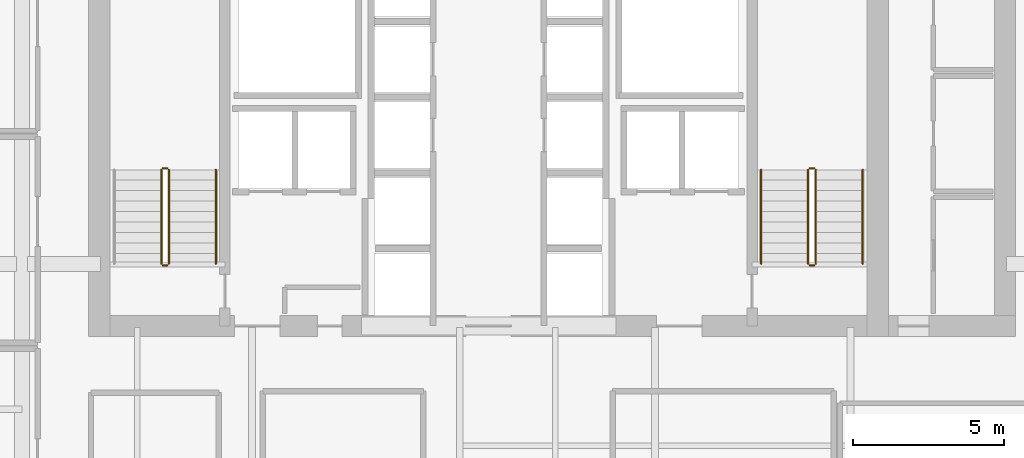
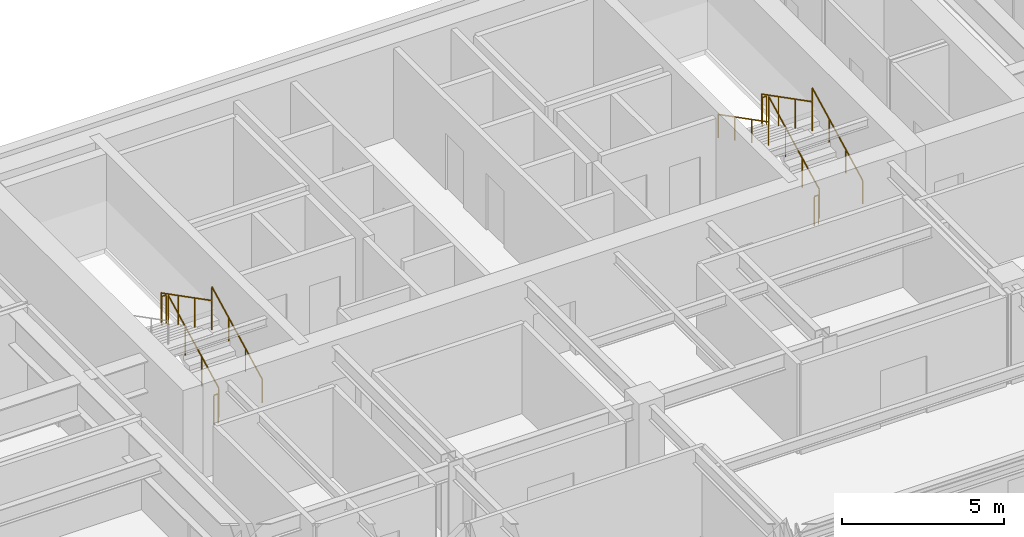
# One storey, part 25 of 25: 11 railings.
"""IFC4 building model written with IfcOpenShell, lengths in metres."""

from ifc_helpers import new_model, si_unit, direction, frame, origin, origin_2d, place, context, subcontext, project, spatial, circle, extrude, material, type_object, element, save


model = new_model("IFC4")

# Units and contexts
model_context = context("Model", 3, precision=1e-05, world=origin(), true_north=direction((0.0, 1.0)))
body_context = subcontext(model_context, "Body", "Model", "MODEL_VIEW")
ifc_project = project(units=[si_unit("LENGTHUNIT", "METRE"), si_unit("AREAUNIT", "SQUARE_METRE"), si_unit("VOLUMEUNIT", "CUBIC_METRE"), si_unit("PLANEANGLEUNIT", "RADIAN"), si_unit("MASSUNIT", "GRAM", prefix="KILO")], contexts=[model_context])

# Site, building, storey
site_placement = place(None, origin())
site = spatial("IfcSite", under=ifc_project, at=site_placement, CompositionType="ELEMENT")
building_placement = place(site_placement, origin())
building = spatial("IfcBuilding", under=site, at=building_placement, Name="Tolvann Quenvar Hotel", CompositionType="ELEMENT")
storey_placement = place(building_placement, frame((0.0, 0.0, 122.199951171875)))
storey = spatial("IfcBuildingStorey", under=building, at=storey_placement, Name="L31", CompositionType="ELEMENT", Elevation=122.199951171875)

# Railings
ifc_material = material(Name="Brushed 316 stainless steel balustrade and handrail", Category="steel")
railing_type_1 = type_object("IfcRailingType", Name="GUARDRAIL", PredefinedType="GUARDRAIL", material=ifc_material)
railing_1_placement = place(storey_placement, frame((12.449951171875, 34.0, 0.177490234375)))
element("IfcRailing", 1, at=railing_1_placement, inside=storey, type_object=railing_type_1, Name="L31 ST-C1 stair guard 1", PredefinedType="GUARDRAIL", context=body_context, shape_type="SweptSolid", body=[
    extrude(circle(Radius=0.02392578125, at=origin_2d()), frame((0.0, 0.0, 1.09619140625), z_axis=(0.0, 0.88919353882, 0.457531256332), x_axis=(-1.0, 0.0, 0.0)), (0.0, 0.0, 1.0), 3.491943359375),
    extrude(circle(Radius=0.02099609375, at=origin_2d()), origin(), (0.0, 0.0, 1.0), 1.072021484375),
    extrude(circle(Radius=0.02099609375, at=origin_2d()), frame((0.0, 1.034912109375, 0.532470703125)), (0.0, 0.0, 1.0), 1.072021484375),
    extrude(circle(Radius=0.02099609375, at=origin_2d()), frame((0.0, 2.070068359375, 1.065185546875)), (0.0, 0.0, 1.0), 1.072021484375),
    extrude(circle(Radius=0.02099609375, at=origin_2d()), frame((0.0, 3.10498046875, 1.59765625)), (0.0, 0.0, 1.0), 1.072021484375),
])
railing_2_placement = place(storey_placement, frame((12.39990234375, 37.155029296875, 1.775146484375)))
element("IfcRailing", 2, at=railing_2_placement, inside=storey, type_object=railing_type_1, Name="L31 ST-C1 stair guard 2", PredefinedType="GUARDRAIL", context=body_context, shape_type="SweptSolid", body=[
    extrude(circle(Radius=0.02392578125, at=origin_2d()), frame((0.0, 0.0, 1.09619140625), z_axis=(-1.0, 0.0, 0.0), x_axis=(0.0, -1.0, 0.0)), (0.0, 0.0, 1.0), 0.14990234375),
    extrude(circle(Radius=0.02099609375, at=origin_2d()), origin(), (0.0, 0.0, 1.0), 1.072021484375),
    extrude(circle(Radius=0.02099609375, at=origin_2d()), frame((-0.14990234375, 0.0, 0.0)), (0.0, 0.0, 1.0), 1.072021484375),
])
railing_3_placement = place(storey_placement, frame((12.199951171875, 37.10498046875, 1.95263671875)))
element("IfcRailing", 3, at=railing_3_placement, inside=storey, type_object=railing_type_1, Name="L31 ST-C1 stair guard 3", PredefinedType="GUARDRAIL", context=body_context, shape_type="SweptSolid", body=[
    extrude(circle(Radius=0.02392578125, at=origin_2d()), frame((0.0, 0.0, 1.09619140625), z_axis=(0.0, -0.889221982265, 0.45747597342), x_axis=(1.0, 0.0, 0.0)), (0.0, 0.0, 1.0), 3.49169921875),
    extrude(circle(Radius=0.02099609375, at=origin_2d()), origin(), (0.0, 0.0, 1.0), 1.072021484375),
    extrude(circle(Radius=0.02099609375, at=origin_2d()), frame((0.0, -1.034912109375, 0.532470703125)), (0.0, 0.0, 1.0), 1.072021484375),
    extrude(circle(Radius=0.02099609375, at=origin_2d()), frame((0.0, -2.070068359375, 1.06494140625)), (0.0, 0.0, 1.0), 1.072021484375),
    extrude(circle(Radius=0.02099609375, at=origin_2d()), frame((0.0, -3.10498046875, 1.597412109375)), (0.0, 0.0, 1.0), 1.072021484375),
])
railing_4_placement = place(storey_placement, frame((12.39990234375, 33.949951171875, 0.0)))
element("IfcRailing", 4, at=railing_4_placement, inside=storey, type_object=railing_type_1, Name="L31 ST-C1 stair guard 4", PredefinedType="GUARDRAIL", context=body_context, shape_type="SweptSolid", body=[
    extrude(circle(Radius=0.02392578125, at=origin_2d()), frame((0.0, 0.0, 1.09619140625), z_axis=(-1.0, 0.0, 0.0), x_axis=(0.0, -1.0, 0.0)), (0.0, 0.0, 1.0), 0.14990234375),
    extrude(circle(Radius=0.02099609375, at=origin_2d()), origin(), (0.0, 0.0, 1.0), 1.072021484375),
    extrude(circle(Radius=0.02099609375, at=origin_2d()), frame((-0.14990234375, 0.0, 0.0)), (0.0, 0.0, 1.0), 1.072021484375),
])
railing_5_placement = place(storey_placement, frame((33.800048828125, 34.0, 0.177490234375)))
element("IfcRailing", 5, at=railing_5_placement, inside=storey, type_object=railing_type_1, Name="L31 ST-C2 stair guard 1", PredefinedType="GUARDRAIL", context=body_context, shape_type="SweptSolid", body=[
    extrude(circle(Radius=0.02392578125, at=origin_2d()), frame((0.0, 0.0, 1.09619140625), z_axis=(0.0, 0.88919353882, 0.457531256332), x_axis=(-1.0, 0.0, 0.0)), (0.0, 0.0, 1.0), 3.491943359375),
    extrude(circle(Radius=0.02099609375, at=origin_2d()), origin(), (0.0, 0.0, 1.0), 1.072021484375),
    extrude(circle(Radius=0.02099609375, at=origin_2d()), frame((0.0, 1.034912109375, 0.532470703125)), (0.0, 0.0, 1.0), 1.072021484375),
    extrude(circle(Radius=0.02099609375, at=origin_2d()), frame((0.0, 2.070068359375, 1.065185546875)), (0.0, 0.0, 1.0), 1.072021484375),
    extrude(circle(Radius=0.02099609375, at=origin_2d()), frame((0.0, 3.10498046875, 1.59765625)), (0.0, 0.0, 1.0), 1.072021484375),
])
railing_6_placement = place(storey_placement, frame((33.75, 37.155029296875, 1.775146484375)))
element("IfcRailing", 6, at=railing_6_placement, inside=storey, type_object=railing_type_1, Name="L31 ST-C2 stair guard 2", PredefinedType="GUARDRAIL", context=body_context, shape_type="SweptSolid", body=[
    extrude(circle(Radius=0.02392578125, at=origin_2d()), frame((0.0, 0.0, 1.09619140625), z_axis=(-1.0, 0.0, 0.0), x_axis=(0.0, -1.0, 0.0)), (0.0, 0.0, 1.0), 0.14990234375),
    extrude(circle(Radius=0.02099609375, at=origin_2d()), origin(), (0.0, 0.0, 1.0), 1.072021484375),
    extrude(circle(Radius=0.02099609375, at=origin_2d()), frame((-0.14990234375, 0.0, 0.0)), (0.0, 0.0, 1.0), 1.072021484375),
])
railing_7_placement = place(storey_placement, frame((33.550048828125, 37.10498046875, 1.95263671875)))
element("IfcRailing", 7, at=railing_7_placement, inside=storey, type_object=railing_type_1, Name="L31 ST-C2 stair guard 3", PredefinedType="GUARDRAIL", context=body_context, shape_type="SweptSolid", body=[
    extrude(circle(Radius=0.02392578125, at=origin_2d()), frame((0.0, 0.0, 1.09619140625), z_axis=(0.0, -0.889221982265, 0.45747597342), x_axis=(1.0, 0.0, 0.0)), (0.0, 0.0, 1.0), 3.49169921875),
    extrude(circle(Radius=0.02099609375, at=origin_2d()), origin(), (0.0, 0.0, 1.0), 1.072021484375),
    extrude(circle(Radius=0.02099609375, at=origin_2d()), frame((0.0, -1.034912109375, 0.532470703125)), (0.0, 0.0, 1.0), 1.072021484375),
    extrude(circle(Radius=0.02099609375, at=origin_2d()), frame((0.0, -2.070068359375, 1.06494140625)), (0.0, 0.0, 1.0), 1.072021484375),
    extrude(circle(Radius=0.02099609375, at=origin_2d()), frame((0.0, -3.10498046875, 1.597412109375)), (0.0, 0.0, 1.0), 1.072021484375),
])
railing_8_placement = place(storey_placement, frame((33.75, 33.949951171875, 0.0)))
element("IfcRailing", 8, at=railing_8_placement, inside=storey, type_object=railing_type_1, Name="L31 ST-C2 stair guard 4", PredefinedType="GUARDRAIL", context=body_context, shape_type="SweptSolid", body=[
    extrude(circle(Radius=0.02392578125, at=origin_2d()), frame((0.0, 0.0, 1.09619140625), z_axis=(-1.0, 0.0, 0.0), x_axis=(0.0, -1.0, 0.0)), (0.0, 0.0, 1.0), 0.14990234375),
    extrude(circle(Radius=0.02099609375, at=origin_2d()), origin(), (0.0, 0.0, 1.0), 1.072021484375),
    extrude(circle(Radius=0.02099609375, at=origin_2d()), frame((-0.14990234375, 0.0, 0.0)), (0.0, 0.0, 1.0), 1.072021484375),
])
railing_type_2 = type_object("IfcRailingType", Name="HANDRAIL", PredefinedType="HANDRAIL", material=ifc_material)
for number, where, name in (
    (9, (14.0, 34.0, 0.177490234375), "L31 ST-C1 stair handrail 1"),
    (10, (35.35009765625, 34.0, 0.177490234375), "L31 ST-C2 stair handrail 1"),
):
    element("IfcRailing", number, at=place(storey_placement, frame(where)), inside=storey, type_object=railing_type_2, Name=name, PredefinedType="HANDRAIL", context=body_context, shape_type="SweptSolid", body=[
        extrude(circle(Radius=0.02392578125, at=origin_2d()), frame((0.0, 0.0, 0.8759765625), z_axis=(0.0, 0.88919353882, 0.457531256332), x_axis=(-1.0, 0.0, 0.0)), (0.0, 0.0, 1.0), 3.491943359375),
        extrude(circle(Radius=0.02099609375, at=origin_2d()), origin(), (0.0, 0.0, 1.0), 0.851806640625),
        extrude(circle(Radius=0.02099609375, at=origin_2d()), frame((0.0, 1.034912109375, 0.532470703125)), (0.0, 0.0, 1.0), 0.851806640625),
        extrude(circle(Radius=0.02099609375, at=origin_2d()), frame((0.0, 2.070068359375, 1.065185546875)), (0.0, 0.0, 1.0), 0.851806640625),
        extrude(circle(Radius=0.02099609375, at=origin_2d()), frame((0.0, 3.10498046875, 1.59765625)), (0.0, 0.0, 1.0), 0.851806640625),
    ])
railing_9_placement = place(storey_placement, frame((32.0, 37.10498046875, 1.95263671875)))
element("IfcRailing", 11, at=railing_9_placement, inside=storey, type_object=railing_type_2, Name="L31 ST-C2 stair handrail 2", PredefinedType="HANDRAIL", context=body_context, shape_type="SweptSolid", body=[
    extrude(circle(Radius=0.02392578125, at=origin_2d()), frame((0.0, 0.0, 0.8759765625), z_axis=(0.0, -0.889221982265, 0.45747597342), x_axis=(1.0, 0.0, 0.0)), (0.0, 0.0, 1.0), 3.49169921875),
    extrude(circle(Radius=0.02099609375, at=origin_2d()), origin(), (0.0, 0.0, 1.0), 0.851806640625),
    extrude(circle(Radius=0.02099609375, at=origin_2d()), frame((0.0, -1.034912109375, 0.532470703125)), (0.0, 0.0, 1.0), 0.851806640625),
    extrude(circle(Radius=0.02099609375, at=origin_2d()), frame((0.0, -2.070068359375, 1.06494140625)), (0.0, 0.0, 1.0), 0.851806640625),
    extrude(circle(Radius=0.02099609375, at=origin_2d()), frame((0.0, -3.10498046875, 1.597412109375)), (0.0, 0.0, 1.0), 0.851806640625),
])

save(model, "model.ifc")
